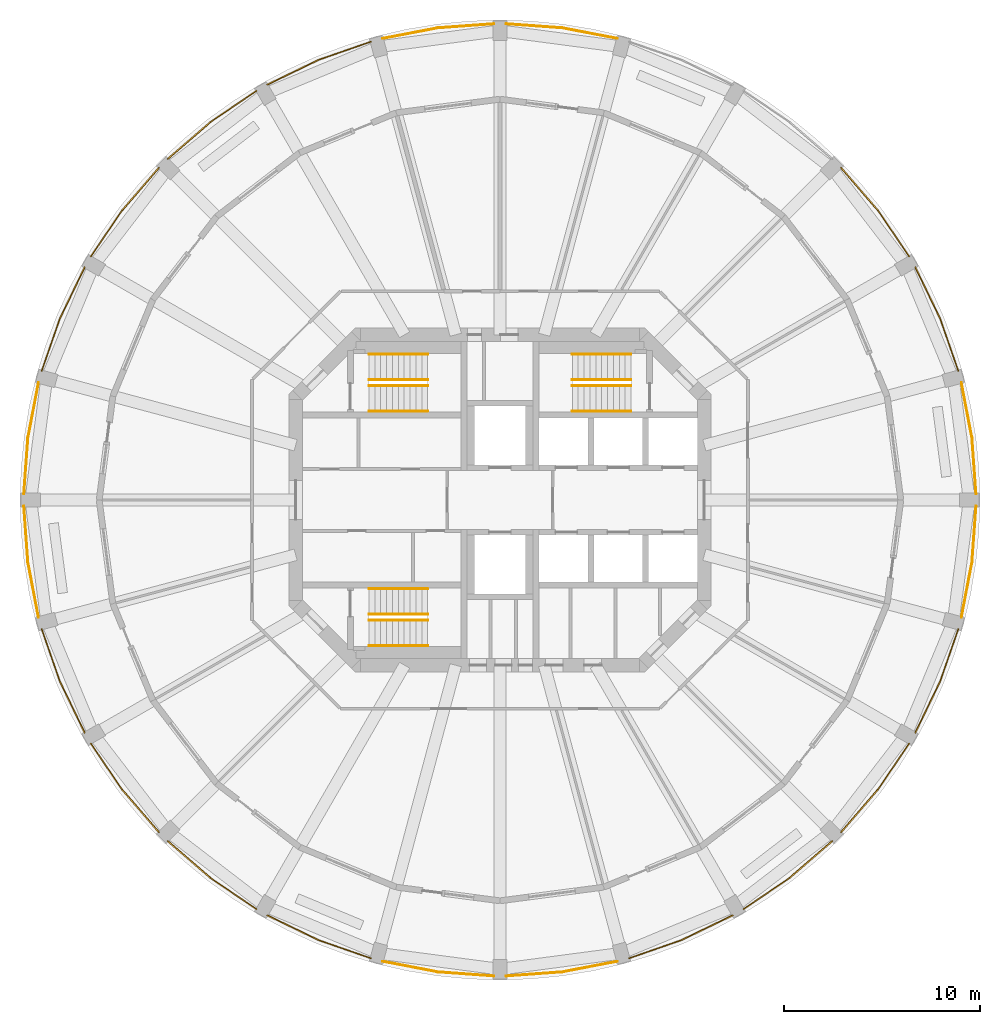
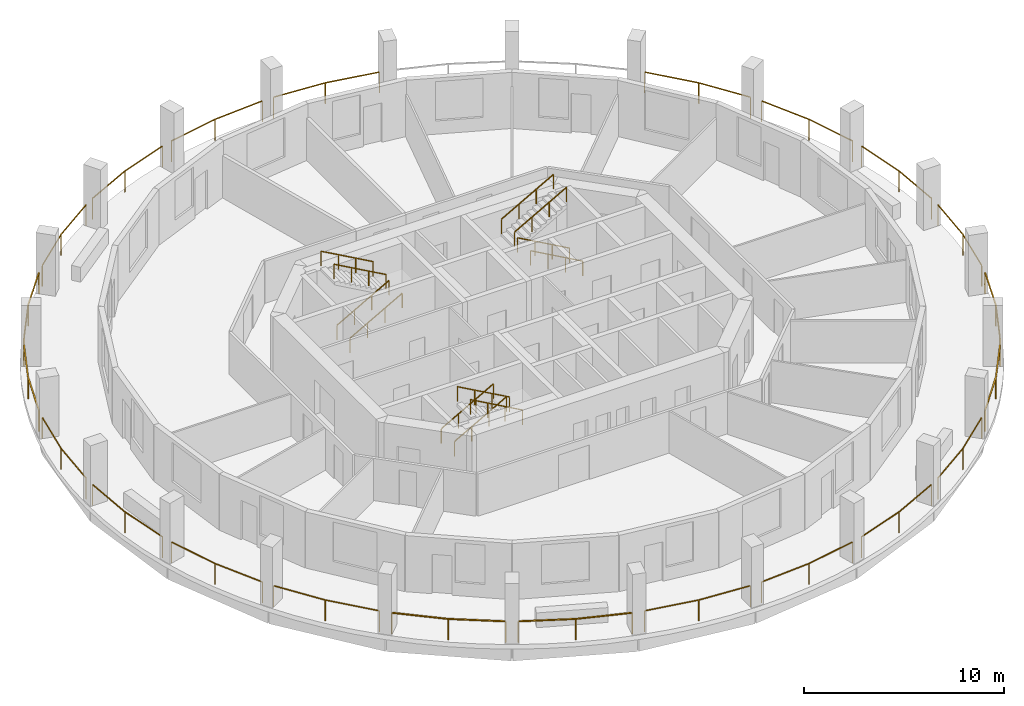
# One storey, part 8 of 9: 34 railings.
"""IFC4 building model written with IfcOpenShell, lengths in metres."""

from ifc_helpers import new_model, si_unit, direction, frame, origin, origin_2d, place, context, subcontext, project, spatial, rectangle, extrude, material, type_object, element, save


model = new_model("IFC4")

# Units and contexts
model_context = context("Model", 3, precision=1e-05, world=origin(), true_north=direction((0.0, 1.0)))
body_context = subcontext(model_context, "Body", "Model", "MODEL_VIEW")
ifc_project = project(units=[si_unit("LENGTHUNIT", "METRE"), si_unit("AREAUNIT", "SQUARE_METRE"), si_unit("VOLUMEUNIT", "CUBIC_METRE"), si_unit("PLANEANGLEUNIT", "RADIAN"), si_unit("MASSUNIT", "GRAM", prefix="KILO")], contexts=[model_context])

# Site, building, storey
site_placement = place(None, origin())
site = spatial("IfcSite", under=ifc_project, at=site_placement, CompositionType="ELEMENT")
building_placement = place(site_placement, origin())
building = spatial("IfcBuilding", under=site, at=building_placement, Name="Torre Triforio", CompositionType="ELEMENT")
storey_placement = place(building_placement, frame((0.0, 0.0, 229.800048828125)))
storey = spatial("IfcBuildingStorey", under=building, at=storey_placement, Name="L52", CompositionType="ELEMENT", Elevation=229.800048828125)

# Railings
ifc_material = material(Name="Stainless steel AISI 316", Category="steel")
railing_type_1 = type_object("IfcRailingType", Name="HANDRAIL 920", PredefinedType="HANDRAIL", material=ifc_material)
for number, where, name in (
    (1, (-6.699951171875, 4.550048828125, 0.168212890625), "Handrail ST1"),
    (2, (-6.699951171875, 5.85009765625, 0.168212890625), "Handrail ST1"),
):
    element("IfcRailing", number, at=place(storey_placement, frame(where)), inside=storey, type_object=railing_type_1, Name=name, PredefinedType="HANDRAIL", context=body_context, shape_type="SweptSolid", body=[
        extrude(rectangle(XDim=0.048095703125, YDim=0.048095703125, at=origin_2d()), frame((0.0, 0.0, 0.89599609375), z_axis=(0.872302573547, 0.0, 0.488966481656), x_axis=(0.0, 1.0, 0.0)), (0.0, 0.0, 1.0), 3.439208984375),
        extrude(rectangle(XDim=0.0419921875, YDim=0.0419921875, at=origin_2d()), origin(), (0.0, 0.0, 1.0), 0.871826171875),
        extrude(rectangle(XDim=0.0419921875, YDim=0.0419921875, at=origin_2d()), frame((1.0, 0.0, 0.560546875)), (0.0, 0.0, 1.0), 0.871826171875),
        extrude(rectangle(XDim=0.0419921875, YDim=0.0419921875, at=origin_2d()), frame((2.0, 0.0, 1.12109375)), (0.0, 0.0, 1.0), 0.871826171875),
        extrude(rectangle(XDim=0.0419921875, YDim=0.0419921875, at=origin_2d()), frame((3.0, 0.0, 1.681640625)), (0.0, 0.0, 1.0), 0.871826171875),
    ])
for number, where, name in (
    (3, (-3.699951171875, 7.449951171875, 2.01806640625), "Handrail ST1"),
    (4, (-3.699951171875, 6.14990234375, 2.01806640625), "Handrail ST1"),
):
    element("IfcRailing", number, at=place(storey_placement, frame(where)), inside=storey, type_object=railing_type_1, Name=name, PredefinedType="HANDRAIL", context=body_context, shape_type="SweptSolid", body=[
        extrude(rectangle(XDim=0.048095703125, YDim=0.048095703125, at=origin_2d()), frame((0.0, 0.0, 0.89599609375), z_axis=(-0.872272294576, 0.0, 0.489020494575), x_axis=(0.0, -1.0, 0.0)), (0.0, 0.0, 1.0), 3.439208984375),
        extrude(rectangle(XDim=0.0419921875, YDim=0.0419921875, at=origin_2d()), origin(), (0.0, 0.0, 1.0), 0.871826171875),
        extrude(rectangle(XDim=0.0419921875, YDim=0.0419921875, at=origin_2d()), frame((-1.0, 0.0, 0.560546875)), (0.0, 0.0, 1.0), 0.871826171875),
        extrude(rectangle(XDim=0.0419921875, YDim=0.0419921875, at=origin_2d()), frame((-2.0, 0.0, 1.121337890625)), (0.0, 0.0, 1.0), 0.871826171875),
        extrude(rectangle(XDim=0.0419921875, YDim=0.0419921875, at=origin_2d()), frame((-3.0, 0.0, 1.681884765625)), (0.0, 0.0, 1.0), 0.871826171875),
    ])
for number, where, name in (
    (5, (6.699951171875, 4.550048828125, 0.168212890625), "Handrail ST2"),
    (6, (6.699951171875, 5.85009765625, 0.168212890625), "Handrail ST2"),
):
    element("IfcRailing", number, at=place(storey_placement, frame(where)), inside=storey, type_object=railing_type_1, Name=name, PredefinedType="HANDRAIL", context=body_context, shape_type="SweptSolid", body=[
        extrude(rectangle(XDim=0.048095703125, YDim=0.048095703125, at=origin_2d()), frame((0.0, 0.0, 0.89599609375), z_axis=(-0.872302573547, 0.0, 0.488966481656), x_axis=(0.0, -1.0, 0.0)), (0.0, 0.0, 1.0), 3.439208984375),
        extrude(rectangle(XDim=0.0419921875, YDim=0.0419921875, at=origin_2d()), origin(), (0.0, 0.0, 1.0), 0.871826171875),
        extrude(rectangle(XDim=0.0419921875, YDim=0.0419921875, at=origin_2d()), frame((-1.0, 0.0, 0.560546875)), (0.0, 0.0, 1.0), 0.871826171875),
        extrude(rectangle(XDim=0.0419921875, YDim=0.0419921875, at=origin_2d()), frame((-2.0, 0.0, 1.12109375)), (0.0, 0.0, 1.0), 0.871826171875),
        extrude(rectangle(XDim=0.0419921875, YDim=0.0419921875, at=origin_2d()), frame((-3.0, 0.0, 1.681640625)), (0.0, 0.0, 1.0), 0.871826171875),
    ])
for number, where, name in (
    (7, (3.699951171875, 7.449951171875, 2.01806640625), "Handrail ST2"),
    (8, (3.699951171875, 6.14990234375, 2.01806640625), "Handrail ST2"),
):
    element("IfcRailing", number, at=place(storey_placement, frame(where)), inside=storey, type_object=railing_type_1, Name=name, PredefinedType="HANDRAIL", context=body_context, shape_type="SweptSolid", body=[
        extrude(rectangle(XDim=0.048095703125, YDim=0.048095703125, at=origin_2d()), frame((0.0, 0.0, 0.89599609375), z_axis=(0.872272294576, 0.0, 0.489020494575), x_axis=(0.0, 1.0, 0.0)), (0.0, 0.0, 1.0), 3.439208984375),
        extrude(rectangle(XDim=0.0419921875, YDim=0.0419921875, at=origin_2d()), origin(), (0.0, 0.0, 1.0), 0.871826171875),
        extrude(rectangle(XDim=0.0419921875, YDim=0.0419921875, at=origin_2d()), frame((1.0, 0.0, 0.560546875)), (0.0, 0.0, 1.0), 0.871826171875),
        extrude(rectangle(XDim=0.0419921875, YDim=0.0419921875, at=origin_2d()), frame((2.0, 0.0, 1.121337890625)), (0.0, 0.0, 1.0), 0.871826171875),
        extrude(rectangle(XDim=0.0419921875, YDim=0.0419921875, at=origin_2d()), frame((3.0, 0.0, 1.681884765625)), (0.0, 0.0, 1.0), 0.871826171875),
    ])
for number, where, name in (
    (9, (-6.699951171875, -4.550048828125, 0.168212890625), "Handrail ST3"),
    (10, (-6.699951171875, -5.85009765625, 0.168212890625), "Handrail ST3"),
):
    element("IfcRailing", number, at=place(storey_placement, frame(where)), inside=storey, type_object=railing_type_1, Name=name, PredefinedType="HANDRAIL", context=body_context, shape_type="SweptSolid", body=[
        extrude(rectangle(XDim=0.048095703125, YDim=0.048095703125, at=origin_2d()), frame((0.0, 0.0, 0.89599609375), z_axis=(0.872302573547, 0.0, 0.488966481656), x_axis=(0.0, 1.0, 0.0)), (0.0, 0.0, 1.0), 3.439208984375),
        extrude(rectangle(XDim=0.0419921875, YDim=0.0419921875, at=origin_2d()), origin(), (0.0, 0.0, 1.0), 0.871826171875),
        extrude(rectangle(XDim=0.0419921875, YDim=0.0419921875, at=origin_2d()), frame((1.0, 0.0, 0.560546875)), (0.0, 0.0, 1.0), 0.871826171875),
        extrude(rectangle(XDim=0.0419921875, YDim=0.0419921875, at=origin_2d()), frame((2.0, 0.0, 1.12109375)), (0.0, 0.0, 1.0), 0.871826171875),
        extrude(rectangle(XDim=0.0419921875, YDim=0.0419921875, at=origin_2d()), frame((3.0, 0.0, 1.681640625)), (0.0, 0.0, 1.0), 0.871826171875),
    ])
for number, where, name in (
    (11, (-3.699951171875, -7.449951171875, 2.01806640625), "Handrail ST3"),
    (12, (-3.699951171875, -6.14990234375, 2.01806640625), "Handrail ST3"),
):
    element("IfcRailing", number, at=place(storey_placement, frame(where)), inside=storey, type_object=railing_type_1, Name=name, PredefinedType="HANDRAIL", context=body_context, shape_type="SweptSolid", body=[
        extrude(rectangle(XDim=0.048095703125, YDim=0.048095703125, at=origin_2d()), frame((0.0, 0.0, 0.89599609375), z_axis=(-0.872272294576, 0.0, 0.489020494575), x_axis=(0.0, -1.0, 0.0)), (0.0, 0.0, 1.0), 3.439208984375),
        extrude(rectangle(XDim=0.0419921875, YDim=0.0419921875, at=origin_2d()), origin(), (0.0, 0.0, 1.0), 0.871826171875),
        extrude(rectangle(XDim=0.0419921875, YDim=0.0419921875, at=origin_2d()), frame((-1.0, 0.0, 0.560546875)), (0.0, 0.0, 1.0), 0.871826171875),
        extrude(rectangle(XDim=0.0419921875, YDim=0.0419921875, at=origin_2d()), frame((-2.0, 0.0, 1.121337890625)), (0.0, 0.0, 1.0), 0.871826171875),
        extrude(rectangle(XDim=0.0419921875, YDim=0.0419921875, at=origin_2d()), frame((-3.0, 0.0, 1.681884765625)), (0.0, 0.0, 1.0), 0.871826171875),
    ])
railing_type_2 = type_object("IfcRailingType", Name="Loggia guard 1300", PredefinedType="GUARDRAIL", material=ifc_material)
railing_1_placement = place(storey_placement, frame((24.35009765625, 0.320068359375, 0.0)))
element("IfcRailing", 13, at=railing_1_placement, inside=storey, type_object=railing_type_2, Name="Loggia guard L52 bay 01", PredefinedType="GUARDRAIL", context=body_context, shape_type="SweptSolid", body=[
    extrude(rectangle(XDim=0.050048828125, YDim=0.050048828125, at=origin_2d()), frame((0.0, 0.0, 1.27490234375), z_axis=(-0.072754488601, 0.997349880628, 0.0), x_axis=(-0.997349880628, -0.072754488601, 0.0)), (0.0, 0.0, 1.0), 2.86572265625),
    extrude(rectangle(XDim=0.050048828125, YDim=0.050048828125, at=origin_2d()), frame((-0.20849609375, 2.858154296875, 1.27490234375), z_axis=(-0.187918414449, 0.982184641252, 0.0), x_axis=(-0.982184641252, -0.187918414449, 0.0)), (0.0, 0.0, 1.0), 2.865966796875),
    extrude(rectangle(XDim=0.0400390625, YDim=0.0400390625, at=origin_2d()), origin(), (0.0, 0.0, 1.0), 1.25),
    extrude(rectangle(XDim=0.0400390625, YDim=0.0400390625, at=origin_2d()), frame((-0.20849609375, 2.858154296875, 0.0)), (0.0, 0.0, 1.0), 1.25),
    extrude(rectangle(XDim=0.0400390625, YDim=0.0400390625, at=origin_2d()), frame((-0.7470703125, 5.673095703125, 0.0)), (0.0, 0.0, 1.0), 1.25),
])
railing_2_placement = place(storey_placement, frame((23.4375, 6.611328125, 0.0)))
element("IfcRailing", 14, at=railing_2_placement, inside=storey, type_object=railing_type_2, Name="Loggia guard L52 bay 02", PredefinedType="GUARDRAIL", context=body_context, shape_type="SweptSolid", body=[
    extrude(rectangle(XDim=0.050048828125, YDim=0.050048828125, at=origin_2d()), frame((0.0, 0.0, 1.27490234375), z_axis=(-0.328315763022, 0.944568028123, 0.0), x_axis=(-0.944568028123, -0.328315763022, 0.0)), (0.0, 0.0, 1.0), 2.865966796875),
    extrude(rectangle(XDim=0.050048828125, YDim=0.050048828125, at=origin_2d()), frame((-0.94091796875, 2.70703125, 1.27490234375), z_axis=(-0.435727917358, 0.900078431046, 0.0), x_axis=(-0.900078431046, -0.435727917358, 0.0)), (0.0, 0.0, 1.0), 2.865966796875),
    extrude(rectangle(XDim=0.0400390625, YDim=0.0400390625, at=origin_2d()), origin(), (0.0, 0.0, 1.0), 1.25),
    extrude(rectangle(XDim=0.0400390625, YDim=0.0400390625, at=origin_2d()), frame((-0.94091796875, 2.70703125, 0.0)), (0.0, 0.0, 1.0), 1.25),
    extrude(rectangle(XDim=0.0400390625, YDim=0.0400390625, at=origin_2d()), frame((-2.189697265625, 5.28662109375, 0.0)), (0.0, 0.0, 1.0), 1.25),
])
railing_3_placement = place(storey_placement, frame((20.927734375, 12.4521484375, 0.0)))
element("IfcRailing", 15, at=railing_3_placement, inside=storey, type_object=railing_type_2, Name="Loggia guard L52 bay 03", PredefinedType="GUARDRAIL", context=body_context, shape_type="SweptSolid", body=[
    extrude(rectangle(XDim=0.050048828125, YDim=0.050048828125, at=origin_2d()), frame((0.0, 0.0, 1.27490234375), z_axis=(-0.561659735558, 0.827368322727, 0.0), x_axis=(-0.827368322727, -0.561659735558, 0.0)), (0.0, 0.0, 1.0), 2.86572265625),
    extrude(rectangle(XDim=0.050048828125, YDim=0.050048828125, at=origin_2d()), frame((-1.609619140625, 2.37109375, 1.27490234375), z_axis=(-0.653823896404, 0.756646755422, 0.0), x_axis=(-0.756646755422, -0.653823896404, 0.0)), (0.0, 0.0, 1.0), 2.865966796875),
    extrude(rectangle(XDim=0.0400390625, YDim=0.0400390625, at=origin_2d()), origin(), (0.0, 0.0, 1.0), 1.25),
    extrude(rectangle(XDim=0.0400390625, YDim=0.0400390625, at=origin_2d()), frame((-1.609619140625, 2.37109375, 0.0)), (0.0, 0.0, 1.0), 1.25),
    extrude(rectangle(XDim=0.0400390625, YDim=0.0400390625, at=origin_2d()), frame((-3.4833984375, 4.53955078125, 0.0)), (0.0, 0.0, 1.0), 1.25),
])
railing_4_placement = place(storey_placement, frame((5.9931640625, 23.60302734375, 0.0)))
element("IfcRailing", 16, at=railing_4_placement, inside=storey, type_object=railing_type_2, Name="Loggia guard L52 bay 06", PredefinedType="GUARDRAIL", context=body_context, shape_type="SweptSolid", body=[
    extrude(rectangle(XDim=0.050048828125, YDim=0.050048828125, at=origin_2d()), frame((0.0, 0.0, 1.27490234375), z_axis=(-0.982184641252, 0.187918414449, 0.0), x_axis=(-0.187918414449, -0.982184641252, 0.0)), (0.0, 0.0, 1.0), 2.865966796875),
    extrude(rectangle(XDim=0.050048828125, YDim=0.050048828125, at=origin_2d()), frame((-2.81494140625, 0.53857421875, 1.27490234375), z_axis=(-0.997349880628, 0.072754488601, 0.0), x_axis=(-0.072754488601, -0.997349880628, 0.0)), (0.0, 0.0, 1.0), 2.86572265625),
    extrude(rectangle(XDim=0.0400390625, YDim=0.0400390625, at=origin_2d()), origin(), (0.0, 0.0, 1.0), 1.25),
    extrude(rectangle(XDim=0.0400390625, YDim=0.0400390625, at=origin_2d()), frame((-2.81494140625, 0.53857421875, 0.0)), (0.0, 0.0, 1.0), 1.25),
    extrude(rectangle(XDim=0.0400390625, YDim=0.0400390625, at=origin_2d()), frame((-5.673095703125, 0.7470703125, 0.0)), (0.0, 0.0, 1.0), 1.25),
])
railing_5_placement = place(storey_placement, frame((-0.320068359375, 24.35009765625, 0.0)))
element("IfcRailing", 17, at=railing_5_placement, inside=storey, type_object=railing_type_2, Name="Loggia guard L52 bay 07", PredefinedType="GUARDRAIL", context=body_context, shape_type="SweptSolid", body=[
    extrude(rectangle(XDim=0.050048828125, YDim=0.050048828125, at=origin_2d()), frame((0.0, 0.0, 1.27490234375), z_axis=(-0.997349880628, -0.072754488601, 0.0), x_axis=(0.072754488601, -0.997349880628, 0.0)), (0.0, 0.0, 1.0), 2.86572265625),
    extrude(rectangle(XDim=0.050048828125, YDim=0.050048828125, at=origin_2d()), frame((-2.858154296875, -0.20849609375, 1.27490234375), z_axis=(-0.982184641252, -0.187918414449, 0.0), x_axis=(0.187918414449, -0.982184641252, 0.0)), (0.0, 0.0, 1.0), 2.865966796875),
    extrude(rectangle(XDim=0.0400390625, YDim=0.0400390625, at=origin_2d()), origin(), (0.0, 0.0, 1.0), 1.25),
    extrude(rectangle(XDim=0.0400390625, YDim=0.0400390625, at=origin_2d()), frame((-2.858154296875, -0.20849609375, 0.0)), (0.0, 0.0, 1.0), 1.25),
    extrude(rectangle(XDim=0.0400390625, YDim=0.0400390625, at=origin_2d()), frame((-5.673095703125, -0.7470703125, 0.0)), (0.0, 0.0, 1.0), 1.25),
])
railing_6_placement = place(storey_placement, frame((-6.611328125, 23.4375, 0.0)))
element("IfcRailing", 18, at=railing_6_placement, inside=storey, type_object=railing_type_2, Name="Loggia guard L52 bay 08", PredefinedType="GUARDRAIL", context=body_context, shape_type="SweptSolid", body=[
    extrude(rectangle(XDim=0.050048828125, YDim=0.050048828125, at=origin_2d()), frame((0.0, 0.0, 1.27490234375), z_axis=(-0.944568028123, -0.328315763022, 0.0), x_axis=(0.328315763022, -0.944568028123, 0.0)), (0.0, 0.0, 1.0), 2.865966796875),
    extrude(rectangle(XDim=0.050048828125, YDim=0.050048828125, at=origin_2d()), frame((-2.70703125, -0.94091796875, 1.27490234375), z_axis=(-0.900078431046, -0.435727917358, 0.0), x_axis=(0.435727917358, -0.900078431046, 0.0)), (0.0, 0.0, 1.0), 2.865966796875),
    extrude(rectangle(XDim=0.0400390625, YDim=0.0400390625, at=origin_2d()), origin(), (0.0, 0.0, 1.0), 1.25),
    extrude(rectangle(XDim=0.0400390625, YDim=0.0400390625, at=origin_2d()), frame((-2.70703125, -0.94091796875, 0.0)), (0.0, 0.0, 1.0), 1.25),
    extrude(rectangle(XDim=0.0400390625, YDim=0.0400390625, at=origin_2d()), frame((-5.28662109375, -2.189697265625, 0.0)), (0.0, 0.0, 1.0), 1.25),
])
railing_7_placement = place(storey_placement, frame((-12.4521484375, 20.927734375, 0.0)))
element("IfcRailing", 19, at=railing_7_placement, inside=storey, type_object=railing_type_2, Name="Loggia guard L52 bay 09", PredefinedType="GUARDRAIL", context=body_context, shape_type="SweptSolid", body=[
    extrude(rectangle(XDim=0.050048828125, YDim=0.050048828125, at=origin_2d()), frame((0.0, 0.0, 1.27490234375), z_axis=(-0.827368322727, -0.561659735558, 0.0), x_axis=(0.561659735558, -0.827368322727, 0.0)), (0.0, 0.0, 1.0), 2.86572265625),
    extrude(rectangle(XDim=0.050048828125, YDim=0.050048828125, at=origin_2d()), frame((-2.37109375, -1.609619140625, 1.27490234375), z_axis=(-0.756646755422, -0.653823896404, 0.0), x_axis=(0.653823896404, -0.756646755422, 0.0)), (0.0, 0.0, 1.0), 2.865966796875),
    extrude(rectangle(XDim=0.0400390625, YDim=0.0400390625, at=origin_2d()), origin(), (0.0, 0.0, 1.0), 1.25),
    extrude(rectangle(XDim=0.0400390625, YDim=0.0400390625, at=origin_2d()), frame((-2.37109375, -1.609619140625, 0.0)), (0.0, 0.0, 1.0), 1.25),
    extrude(rectangle(XDim=0.0400390625, YDim=0.0400390625, at=origin_2d()), frame((-4.53955078125, -3.4833984375, 0.0)), (0.0, 0.0, 1.0), 1.25),
])
railing_8_placement = place(storey_placement, frame((-17.4443359375, 16.99169921875, 0.0)))
element("IfcRailing", 20, at=railing_8_placement, inside=storey, type_object=railing_type_2, Name="Loggia guard L52 bay 10", PredefinedType="GUARDRAIL", context=body_context, shape_type="SweptSolid", body=[
    extrude(rectangle(XDim=0.050048828125, YDim=0.050048828125, at=origin_2d()), frame((0.0, 0.0, 1.27490234375), z_axis=(-0.653823896404, -0.756646755422, 0.0), x_axis=(0.756646755422, -0.653823896404, 0.0)), (0.0, 0.0, 1.0), 2.865966796875),
    extrude(rectangle(XDim=0.050048828125, YDim=0.050048828125, at=origin_2d()), frame((-1.873779296875, -2.16845703125, 1.27490234375), z_axis=(-0.561659735558, -0.827368322727, 0.0), x_axis=(0.827368322727, -0.561659735558, 0.0)), (0.0, 0.0, 1.0), 2.86572265625),
    extrude(rectangle(XDim=0.0400390625, YDim=0.0400390625, at=origin_2d()), origin(), (0.0, 0.0, 1.0), 1.25),
    extrude(rectangle(XDim=0.0400390625, YDim=0.0400390625, at=origin_2d()), frame((-1.873779296875, -2.16845703125, 0.0)), (0.0, 0.0, 1.0), 1.25),
    extrude(rectangle(XDim=0.0400390625, YDim=0.0400390625, at=origin_2d()), frame((-3.4833984375, -4.53955078125, 0.0)), (0.0, 0.0, 1.0), 1.25),
])
railing_9_placement = place(storey_placement, frame((-21.247802734375, 11.89794921875, 0.0)))
element("IfcRailing", 21, at=railing_9_placement, inside=storey, type_object=railing_type_2, Name="Loggia guard L52 bay 11", PredefinedType="GUARDRAIL", context=body_context, shape_type="SweptSolid", body=[
    extrude(rectangle(XDim=0.050048828125, YDim=0.050048828125, at=origin_2d()), frame((0.0, 0.0, 1.27490234375), z_axis=(-0.435727917358, -0.900078431046, 0.0), x_axis=(0.900078431046, -0.435727917358, 0.0)), (0.0, 0.0, 1.0), 2.865966796875),
    extrude(rectangle(XDim=0.050048828125, YDim=0.050048828125, at=origin_2d()), frame((-1.248779296875, -2.57958984375, 1.27490234375), z_axis=(-0.328315763022, -0.944568028123, 0.0), x_axis=(0.944568028123, -0.328315763022, 0.0)), (0.0, 0.0, 1.0), 2.865966796875),
    extrude(rectangle(XDim=0.0400390625, YDim=0.0400390625, at=origin_2d()), origin(), (0.0, 0.0, 1.0), 1.25),
    extrude(rectangle(XDim=0.0400390625, YDim=0.0400390625, at=origin_2d()), frame((-1.248779296875, -2.57958984375, 0.0)), (0.0, 0.0, 1.0), 1.25),
    extrude(rectangle(XDim=0.0400390625, YDim=0.0400390625, at=origin_2d()), frame((-2.189697265625, -5.28662109375, 0.0)), (0.0, 0.0, 1.0), 1.25),
])
railing_10_placement = place(storey_placement, frame((-23.60302734375, 5.9931640625, 0.0)))
element("IfcRailing", 22, at=railing_10_placement, inside=storey, type_object=railing_type_2, Name="Loggia guard L52 bay 12", PredefinedType="GUARDRAIL", context=body_context, shape_type="SweptSolid", body=[
    extrude(rectangle(XDim=0.050048828125, YDim=0.050048828125, at=origin_2d()), frame((0.0, 0.0, 1.27490234375), z_axis=(-0.187918414449, -0.982184641252, 0.0), x_axis=(0.982184641252, -0.187918414449, 0.0)), (0.0, 0.0, 1.0), 2.865966796875),
    extrude(rectangle(XDim=0.050048828125, YDim=0.050048828125, at=origin_2d()), frame((-0.53857421875, -2.81494140625, 1.27490234375), z_axis=(-0.072754488601, -0.997349880628, 0.0), x_axis=(0.997349880628, -0.072754488601, 0.0)), (0.0, 0.0, 1.0), 2.86572265625),
    extrude(rectangle(XDim=0.0400390625, YDim=0.0400390625, at=origin_2d()), origin(), (0.0, 0.0, 1.0), 1.25),
    extrude(rectangle(XDim=0.0400390625, YDim=0.0400390625, at=origin_2d()), frame((-0.53857421875, -2.81494140625, 0.0)), (0.0, 0.0, 1.0), 1.25),
    extrude(rectangle(XDim=0.0400390625, YDim=0.0400390625, at=origin_2d()), frame((-0.7470703125, -5.673095703125, 0.0)), (0.0, 0.0, 1.0), 1.25),
])
railing_11_placement = place(storey_placement, frame((-24.35009765625, -0.320068359375, 0.0)))
element("IfcRailing", 23, at=railing_11_placement, inside=storey, type_object=railing_type_2, Name="Loggia guard L52 bay 13", PredefinedType="GUARDRAIL", context=body_context, shape_type="SweptSolid", body=[
    extrude(rectangle(XDim=0.050048828125, YDim=0.050048828125, at=origin_2d()), frame((0.0, 0.0, 1.27490234375), z_axis=(0.072754488601, -0.997349880628, 0.0), x_axis=(0.997349880628, 0.072754488601, 0.0)), (0.0, 0.0, 1.0), 2.86572265625),
    extrude(rectangle(XDim=0.050048828125, YDim=0.050048828125, at=origin_2d()), frame((0.20849609375, -2.858154296875, 1.27490234375), z_axis=(0.187918414449, -0.982184641252, 0.0), x_axis=(0.982184641252, 0.187918414449, 0.0)), (0.0, 0.0, 1.0), 2.865966796875),
    extrude(rectangle(XDim=0.0400390625, YDim=0.0400390625, at=origin_2d()), origin(), (0.0, 0.0, 1.0), 1.25),
    extrude(rectangle(XDim=0.0400390625, YDim=0.0400390625, at=origin_2d()), frame((0.20849609375, -2.858154296875, 0.0)), (0.0, 0.0, 1.0), 1.25),
    extrude(rectangle(XDim=0.0400390625, YDim=0.0400390625, at=origin_2d()), frame((0.7470703125, -5.673095703125, 0.0)), (0.0, 0.0, 1.0), 1.25),
])
railing_12_placement = place(storey_placement, frame((-23.4375, -6.611328125, 0.0)))
element("IfcRailing", 24, at=railing_12_placement, inside=storey, type_object=railing_type_2, Name="Loggia guard L52 bay 14", PredefinedType="GUARDRAIL", context=body_context, shape_type="SweptSolid", body=[
    extrude(rectangle(XDim=0.050048828125, YDim=0.050048828125, at=origin_2d()), frame((0.0, 0.0, 1.27490234375), z_axis=(0.328315763022, -0.944568028123, 0.0), x_axis=(0.944568028123, 0.328315763022, 0.0)), (0.0, 0.0, 1.0), 2.865966796875),
    extrude(rectangle(XDim=0.050048828125, YDim=0.050048828125, at=origin_2d()), frame((0.94091796875, -2.70703125, 1.27490234375), z_axis=(0.435727917358, -0.900078431046, 0.0), x_axis=(0.900078431046, 0.435727917358, 0.0)), (0.0, 0.0, 1.0), 2.865966796875),
    extrude(rectangle(XDim=0.0400390625, YDim=0.0400390625, at=origin_2d()), origin(), (0.0, 0.0, 1.0), 1.25),
    extrude(rectangle(XDim=0.0400390625, YDim=0.0400390625, at=origin_2d()), frame((0.94091796875, -2.70703125, 0.0)), (0.0, 0.0, 1.0), 1.25),
    extrude(rectangle(XDim=0.0400390625, YDim=0.0400390625, at=origin_2d()), frame((2.189697265625, -5.28662109375, 0.0)), (0.0, 0.0, 1.0), 1.25),
])
railing_13_placement = place(storey_placement, frame((-20.927734375, -12.4521484375, 0.0)))
element("IfcRailing", 25, at=railing_13_placement, inside=storey, type_object=railing_type_2, Name="Loggia guard L52 bay 15", PredefinedType="GUARDRAIL", context=body_context, shape_type="SweptSolid", body=[
    extrude(rectangle(XDim=0.050048828125, YDim=0.050048828125, at=origin_2d()), frame((0.0, 0.0, 1.27490234375), z_axis=(0.561659735558, -0.827368322727, 0.0), x_axis=(0.827368322727, 0.561659735558, 0.0)), (0.0, 0.0, 1.0), 2.86572265625),
    extrude(rectangle(XDim=0.050048828125, YDim=0.050048828125, at=origin_2d()), frame((1.609619140625, -2.37109375, 1.27490234375), z_axis=(0.653823896404, -0.756646755422, 0.0), x_axis=(0.756646755422, 0.653823896404, 0.0)), (0.0, 0.0, 1.0), 2.865966796875),
    extrude(rectangle(XDim=0.0400390625, YDim=0.0400390625, at=origin_2d()), origin(), (0.0, 0.0, 1.0), 1.25),
    extrude(rectangle(XDim=0.0400390625, YDim=0.0400390625, at=origin_2d()), frame((1.609619140625, -2.37109375, 0.0)), (0.0, 0.0, 1.0), 1.25),
    extrude(rectangle(XDim=0.0400390625, YDim=0.0400390625, at=origin_2d()), frame((3.4833984375, -4.53955078125, 0.0)), (0.0, 0.0, 1.0), 1.25),
])
railing_14_placement = place(storey_placement, frame((-16.99169921875, -17.4443359375, 0.0)))
element("IfcRailing", 26, at=railing_14_placement, inside=storey, type_object=railing_type_2, Name="Loggia guard L52 bay 16", PredefinedType="GUARDRAIL", context=body_context, shape_type="SweptSolid", body=[
    extrude(rectangle(XDim=0.050048828125, YDim=0.050048828125, at=origin_2d()), frame((0.0, 0.0, 1.27490234375), z_axis=(0.756646755422, -0.653823896404, 0.0), x_axis=(0.653823896404, 0.756646755422, 0.0)), (0.0, 0.0, 1.0), 2.865966796875),
    extrude(rectangle(XDim=0.050048828125, YDim=0.050048828125, at=origin_2d()), frame((2.16845703125, -1.873779296875, 1.27490234375), z_axis=(0.827368322727, -0.561659735558, 0.0), x_axis=(0.561659735558, 0.827368322727, 0.0)), (0.0, 0.0, 1.0), 2.86572265625),
    extrude(rectangle(XDim=0.0400390625, YDim=0.0400390625, at=origin_2d()), origin(), (0.0, 0.0, 1.0), 1.25),
    extrude(rectangle(XDim=0.0400390625, YDim=0.0400390625, at=origin_2d()), frame((2.16845703125, -1.873779296875, 0.0)), (0.0, 0.0, 1.0), 1.25),
    extrude(rectangle(XDim=0.0400390625, YDim=0.0400390625, at=origin_2d()), frame((4.53955078125, -3.4833984375, 0.0)), (0.0, 0.0, 1.0), 1.25),
])
railing_15_placement = place(storey_placement, frame((-11.89794921875, -21.247802734375, 0.0)))
element("IfcRailing", 27, at=railing_15_placement, inside=storey, type_object=railing_type_2, Name="Loggia guard L52 bay 17", PredefinedType="GUARDRAIL", context=body_context, shape_type="SweptSolid", body=[
    extrude(rectangle(XDim=0.050048828125, YDim=0.050048828125, at=origin_2d()), frame((0.0, 0.0, 1.27490234375), z_axis=(0.900078431046, -0.435727917358, 0.0), x_axis=(0.435727917358, 0.900078431046, 0.0)), (0.0, 0.0, 1.0), 2.865966796875),
    extrude(rectangle(XDim=0.050048828125, YDim=0.050048828125, at=origin_2d()), frame((2.57958984375, -1.248779296875, 1.27490234375), z_axis=(0.944568028123, -0.328315763022, 0.0), x_axis=(0.328315763022, 0.944568028123, 0.0)), (0.0, 0.0, 1.0), 2.865966796875),
    extrude(rectangle(XDim=0.0400390625, YDim=0.0400390625, at=origin_2d()), origin(), (0.0, 0.0, 1.0), 1.25),
    extrude(rectangle(XDim=0.0400390625, YDim=0.0400390625, at=origin_2d()), frame((2.57958984375, -1.248779296875, 0.0)), (0.0, 0.0, 1.0), 1.25),
    extrude(rectangle(XDim=0.0400390625, YDim=0.0400390625, at=origin_2d()), frame((5.28662109375, -2.189697265625, 0.0)), (0.0, 0.0, 1.0), 1.25),
])
railing_16_placement = place(storey_placement, frame((-5.9931640625, -23.60302734375, 0.0)))
element("IfcRailing", 28, at=railing_16_placement, inside=storey, type_object=railing_type_2, Name="Loggia guard L52 bay 18", PredefinedType="GUARDRAIL", context=body_context, shape_type="SweptSolid", body=[
    extrude(rectangle(XDim=0.050048828125, YDim=0.050048828125, at=origin_2d()), frame((0.0, 0.0, 1.27490234375), z_axis=(0.982184641252, -0.187918414449, 0.0), x_axis=(0.187918414449, 0.982184641252, 0.0)), (0.0, 0.0, 1.0), 2.865966796875),
    extrude(rectangle(XDim=0.050048828125, YDim=0.050048828125, at=origin_2d()), frame((2.81494140625, -0.53857421875, 1.27490234375), z_axis=(0.997349880628, -0.072754488601, 0.0), x_axis=(0.072754488601, 0.997349880628, 0.0)), (0.0, 0.0, 1.0), 2.86572265625),
    extrude(rectangle(XDim=0.0400390625, YDim=0.0400390625, at=origin_2d()), origin(), (0.0, 0.0, 1.0), 1.25),
    extrude(rectangle(XDim=0.0400390625, YDim=0.0400390625, at=origin_2d()), frame((2.81494140625, -0.53857421875, 0.0)), (0.0, 0.0, 1.0), 1.25),
    extrude(rectangle(XDim=0.0400390625, YDim=0.0400390625, at=origin_2d()), frame((5.673095703125, -0.7470703125, 0.0)), (0.0, 0.0, 1.0), 1.25),
])
railing_17_placement = place(storey_placement, frame((0.320068359375, -24.35009765625, 0.0)))
element("IfcRailing", 29, at=railing_17_placement, inside=storey, type_object=railing_type_2, Name="Loggia guard L52 bay 19", PredefinedType="GUARDRAIL", context=body_context, shape_type="SweptSolid", body=[
    extrude(rectangle(XDim=0.050048828125, YDim=0.050048828125, at=origin_2d()), frame((0.0, 0.0, 1.27490234375), z_axis=(0.997349880628, 0.072754488601, 0.0), x_axis=(-0.072754488601, 0.997349880628, 0.0)), (0.0, 0.0, 1.0), 2.86572265625),
    extrude(rectangle(XDim=0.050048828125, YDim=0.050048828125, at=origin_2d()), frame((2.858154296875, 0.20849609375, 1.27490234375), z_axis=(0.982184641252, 0.187918414449, 0.0), x_axis=(-0.187918414449, 0.982184641252, 0.0)), (0.0, 0.0, 1.0), 2.865966796875),
    extrude(rectangle(XDim=0.0400390625, YDim=0.0400390625, at=origin_2d()), origin(), (0.0, 0.0, 1.0), 1.25),
    extrude(rectangle(XDim=0.0400390625, YDim=0.0400390625, at=origin_2d()), frame((2.858154296875, 0.20849609375, 0.0)), (0.0, 0.0, 1.0), 1.25),
    extrude(rectangle(XDim=0.0400390625, YDim=0.0400390625, at=origin_2d()), frame((5.673095703125, 0.7470703125, 0.0)), (0.0, 0.0, 1.0), 1.25),
])
railing_18_placement = place(storey_placement, frame((6.611328125, -23.4375, 0.0)))
element("IfcRailing", 30, at=railing_18_placement, inside=storey, type_object=railing_type_2, Name="Loggia guard L52 bay 20", PredefinedType="GUARDRAIL", context=body_context, shape_type="SweptSolid", body=[
    extrude(rectangle(XDim=0.050048828125, YDim=0.050048828125, at=origin_2d()), frame((0.0, 0.0, 1.27490234375), z_axis=(0.944568028123, 0.328315763022, 0.0), x_axis=(-0.328315763022, 0.944568028123, 0.0)), (0.0, 0.0, 1.0), 2.865966796875),
    extrude(rectangle(XDim=0.050048828125, YDim=0.050048828125, at=origin_2d()), frame((2.70703125, 0.94091796875, 1.27490234375), z_axis=(0.900078431046, 0.435727917358, 0.0), x_axis=(-0.435727917358, 0.900078431046, 0.0)), (0.0, 0.0, 1.0), 2.865966796875),
    extrude(rectangle(XDim=0.0400390625, YDim=0.0400390625, at=origin_2d()), origin(), (0.0, 0.0, 1.0), 1.25),
    extrude(rectangle(XDim=0.0400390625, YDim=0.0400390625, at=origin_2d()), frame((2.70703125, 0.94091796875, 0.0)), (0.0, 0.0, 1.0), 1.25),
    extrude(rectangle(XDim=0.0400390625, YDim=0.0400390625, at=origin_2d()), frame((5.28662109375, 2.189697265625, 0.0)), (0.0, 0.0, 1.0), 1.25),
])
railing_19_placement = place(storey_placement, frame((12.4521484375, -20.927734375, 0.0)))
element("IfcRailing", 31, at=railing_19_placement, inside=storey, type_object=railing_type_2, Name="Loggia guard L52 bay 21", PredefinedType="GUARDRAIL", context=body_context, shape_type="SweptSolid", body=[
    extrude(rectangle(XDim=0.050048828125, YDim=0.050048828125, at=origin_2d()), frame((0.0, 0.0, 1.27490234375), z_axis=(0.827368322727, 0.561659735558, 0.0), x_axis=(-0.561659735558, 0.827368322727, 0.0)), (0.0, 0.0, 1.0), 2.86572265625),
    extrude(rectangle(XDim=0.050048828125, YDim=0.050048828125, at=origin_2d()), frame((2.37109375, 1.609619140625, 1.27490234375), z_axis=(0.756646755422, 0.653823896404, 0.0), x_axis=(-0.653823896404, 0.756646755422, 0.0)), (0.0, 0.0, 1.0), 2.865966796875),
    extrude(rectangle(XDim=0.0400390625, YDim=0.0400390625, at=origin_2d()), origin(), (0.0, 0.0, 1.0), 1.25),
    extrude(rectangle(XDim=0.0400390625, YDim=0.0400390625, at=origin_2d()), frame((2.37109375, 1.609619140625, 0.0)), (0.0, 0.0, 1.0), 1.25),
    extrude(rectangle(XDim=0.0400390625, YDim=0.0400390625, at=origin_2d()), frame((4.53955078125, 3.4833984375, 0.0)), (0.0, 0.0, 1.0), 1.25),
])
railing_20_placement = place(storey_placement, frame((17.4443359375, -16.99169921875, 0.0)))
element("IfcRailing", 32, at=railing_20_placement, inside=storey, type_object=railing_type_2, Name="Loggia guard L52 bay 22", PredefinedType="GUARDRAIL", context=body_context, shape_type="SweptSolid", body=[
    extrude(rectangle(XDim=0.050048828125, YDim=0.050048828125, at=origin_2d()), frame((0.0, 0.0, 1.27490234375), z_axis=(0.653823896404, 0.756646755422, 0.0), x_axis=(-0.756646755422, 0.653823896404, 0.0)), (0.0, 0.0, 1.0), 2.865966796875),
    extrude(rectangle(XDim=0.050048828125, YDim=0.050048828125, at=origin_2d()), frame((1.873779296875, 2.16845703125, 1.27490234375), z_axis=(0.561659735558, 0.827368322727, 0.0), x_axis=(-0.827368322727, 0.561659735558, 0.0)), (0.0, 0.0, 1.0), 2.86572265625),
    extrude(rectangle(XDim=0.0400390625, YDim=0.0400390625, at=origin_2d()), origin(), (0.0, 0.0, 1.0), 1.25),
    extrude(rectangle(XDim=0.0400390625, YDim=0.0400390625, at=origin_2d()), frame((1.873779296875, 2.16845703125, 0.0)), (0.0, 0.0, 1.0), 1.25),
    extrude(rectangle(XDim=0.0400390625, YDim=0.0400390625, at=origin_2d()), frame((3.4833984375, 4.53955078125, 0.0)), (0.0, 0.0, 1.0), 1.25),
])
railing_21_placement = place(storey_placement, frame((21.247802734375, -11.89794921875, 0.0)))
element("IfcRailing", 33, at=railing_21_placement, inside=storey, type_object=railing_type_2, Name="Loggia guard L52 bay 23", PredefinedType="GUARDRAIL", context=body_context, shape_type="SweptSolid", body=[
    extrude(rectangle(XDim=0.050048828125, YDim=0.050048828125, at=origin_2d()), frame((0.0, 0.0, 1.27490234375), z_axis=(0.435727917358, 0.900078431046, 0.0), x_axis=(-0.900078431046, 0.435727917358, 0.0)), (0.0, 0.0, 1.0), 2.865966796875),
    extrude(rectangle(XDim=0.050048828125, YDim=0.050048828125, at=origin_2d()), frame((1.248779296875, 2.57958984375, 1.27490234375), z_axis=(0.328315763022, 0.944568028123, 0.0), x_axis=(-0.944568028123, 0.328315763022, 0.0)), (0.0, 0.0, 1.0), 2.865966796875),
    extrude(rectangle(XDim=0.0400390625, YDim=0.0400390625, at=origin_2d()), origin(), (0.0, 0.0, 1.0), 1.25),
    extrude(rectangle(XDim=0.0400390625, YDim=0.0400390625, at=origin_2d()), frame((1.248779296875, 2.57958984375, 0.0)), (0.0, 0.0, 1.0), 1.25),
    extrude(rectangle(XDim=0.0400390625, YDim=0.0400390625, at=origin_2d()), frame((2.189697265625, 5.28662109375, 0.0)), (0.0, 0.0, 1.0), 1.25),
])
railing_22_placement = place(storey_placement, frame((23.60302734375, -5.9931640625, 0.0)))
element("IfcRailing", 34, at=railing_22_placement, inside=storey, type_object=railing_type_2, Name="Loggia guard L52 bay 24", PredefinedType="GUARDRAIL", context=body_context, shape_type="SweptSolid", body=[
    extrude(rectangle(XDim=0.050048828125, YDim=0.050048828125, at=origin_2d()), frame((0.0, 0.0, 1.27490234375), z_axis=(0.187918414449, 0.982184641252, 0.0), x_axis=(-0.982184641252, 0.187918414449, 0.0)), (0.0, 0.0, 1.0), 2.865966796875),
    extrude(rectangle(XDim=0.050048828125, YDim=0.050048828125, at=origin_2d()), frame((0.53857421875, 2.81494140625, 1.27490234375), z_axis=(0.072754488601, 0.997349880628, 0.0), x_axis=(-0.997349880628, 0.072754488601, 0.0)), (0.0, 0.0, 1.0), 2.86572265625),
    extrude(rectangle(XDim=0.0400390625, YDim=0.0400390625, at=origin_2d()), origin(), (0.0, 0.0, 1.0), 1.25),
    extrude(rectangle(XDim=0.0400390625, YDim=0.0400390625, at=origin_2d()), frame((0.53857421875, 2.81494140625, 0.0)), (0.0, 0.0, 1.0), 1.25),
    extrude(rectangle(XDim=0.0400390625, YDim=0.0400390625, at=origin_2d()), frame((0.7470703125, 5.673095703125, 0.0)), (0.0, 0.0, 1.0), 1.25),
])

save(model, "model.ifc")
